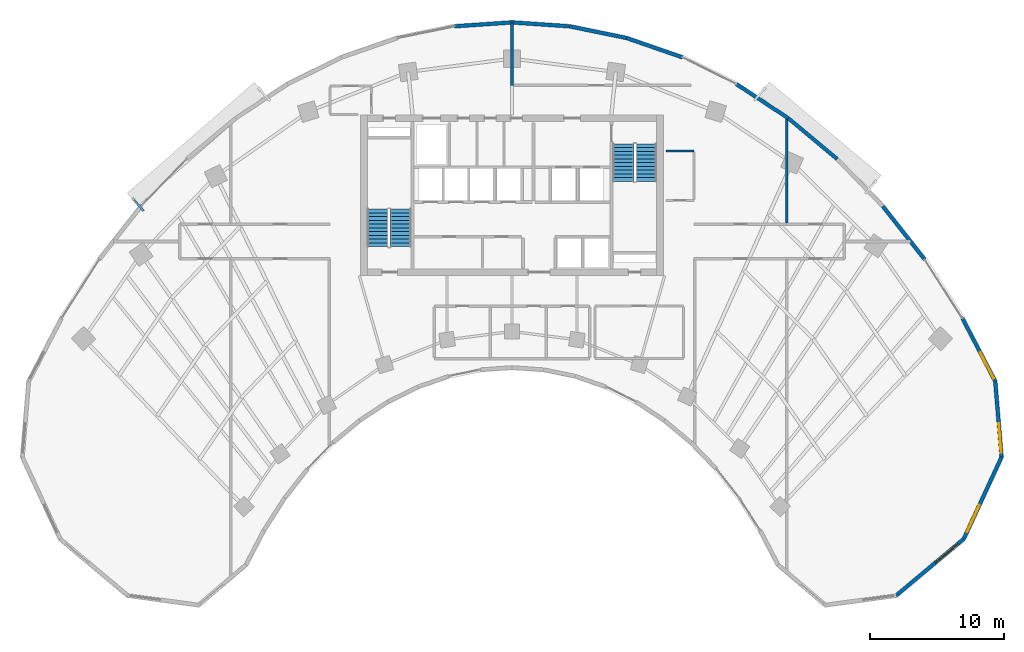
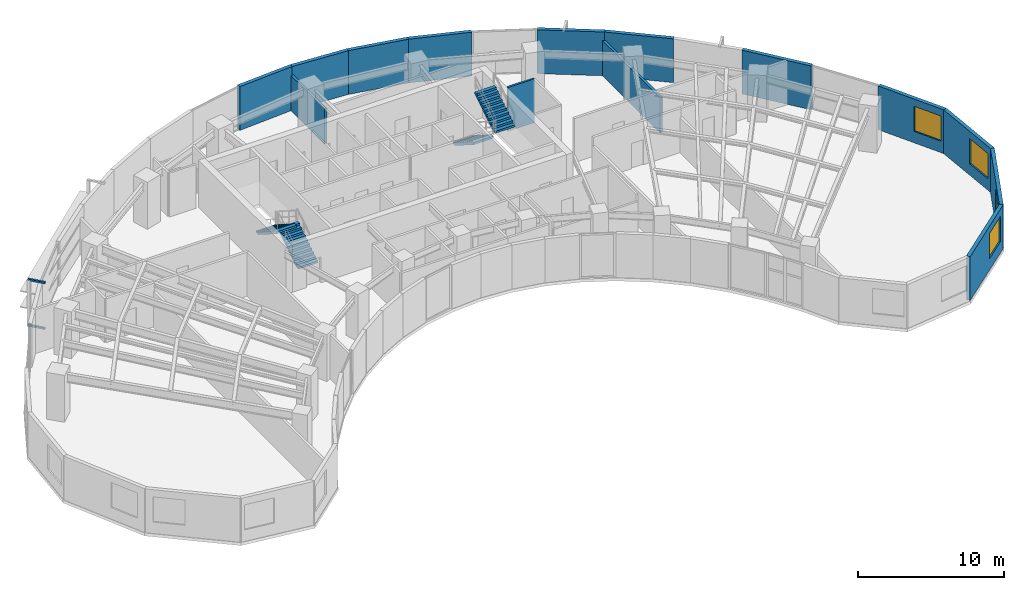
# One storey, part 11 of 14: 14 walls, 4 stair flights, 4 windows, 2 discrete accessories, 4 openings, 2 elements without a shape of their own.
"""IFC4 building model written with IfcOpenShell, lengths in metres."""

from ifc_helpers import new_model, si_unit, direction, frame, frame_2d, origin, origin_2d, place, context, subcontext, project, spatial, polyline, rectangle, outline, extrude, source, transform, mapped, material, layer, layer_set, type_object, type_shapes, element, fill, aggregate, save


model = new_model("IFC4")

# Units and contexts
model_context = context("Model", 3, precision=1e-05, world=origin(), true_north=direction((0.0, 1.0)))
body_context = subcontext(model_context, "Body", "Model", "MODEL_VIEW")
ifc_project = project(units=[si_unit("LENGTHUNIT", "METRE"), si_unit("AREAUNIT", "SQUARE_METRE"), si_unit("VOLUMEUNIT", "CUBIC_METRE"), si_unit("PLANEANGLEUNIT", "RADIAN"), si_unit("MASSUNIT", "GRAM", prefix="KILO")], contexts=[model_context])

# Site, building, storey
site_placement = place(None, origin())
site = spatial("IfcSite", under=ifc_project, at=site_placement, CompositionType="ELEMENT")
building_placement = place(site_placement, origin())
building = spatial("IfcBuilding", under=site, at=building_placement, Name="Breltana Convention Tower", CompositionType="ELEMENT")
storey_placement = place(building_placement, frame((0.0, 0.0, 115.5)))
storey = spatial("IfcBuildingStorey", under=building, at=storey_placement, Name="L27", CompositionType="ELEMENT", Elevation=115.5)

# Wall, opening, window
ifc_material_1 = material(Name="Limestone Buff Insulated Wall", Category="masonry")
ifc_layer_1 = layer(ifc_material_1, 0.280029296875, Name="Limestone Buff Insulated Wall")
ifc_layer_set_1 = layer_set([ifc_layer_1], Name="Limestone Buff Insulated Wall")
wall_type_1 = type_object("IfcWallType", Name="WL-EXT-NOSE-280", PredefinedType="SOLIDWALL", material=ifc_layer_set_1)
shared_shape_1 = source(origin(), body_context, "Body", "SweptSolid", [
    extrude(rectangle(XDim=5.673583984375, YDim=0.280029296875, at=frame_2d((2.8369140625, 0.0))), origin(), (0.0, 0.0, 1.0), 3.64990234375),
])
wall_1_placement = place(storey_placement, frame((84.07763671875, 52.305419921875, 0.0), z_axis=(0.0, 0.0, 1.0), x_axis=(0.083309007867, -0.996523762491, 0.0)))
wall_1 = element("IfcWall", 1, at=wall_1_placement, inside=storey, type_object=wall_type_1, Name="L27 curved limestone nose wall E1", PredefinedType="SOLIDWALL", context=body_context, shape_type="MappedRepresentation", body=[
    mapped(shared_shape_1, transform((0.0, 0.0, 0.0), scale=1.0)),
])
opening_1_placement = place(wall_1_placement, frame((3.155029296875, 0.0, 0.949951171875)))
opening_1 = element("IfcOpeningElement", 2, at=opening_1_placement, cuts=wall_1, Name="Opening W-03", PredefinedType="OPENING", context=body_context, shape_type="SweptSolid", body=[
    extrude(rectangle(XDim=2.199951171875, YDim=2.10009765625, at=frame_2d((1.10009765625, 1.050048828125))), frame((0.0, 0.14990234375, 0.0), z_axis=(0.0, -1.0, 0.0), x_axis=(1.0, 0.0, 0.0)), (0.0, 0.0, 1.0), 0.300048828125),
])
ifc_material_2 = material(Name="Glass Low-E Insulated Window", Category="glass")
window_type = type_object("IfcWindowType", Name="WN-NOSE-2200X2100", PartitioningType="TRIPLE_PANEL_VERTICAL", PredefinedType="WINDOW", material=ifc_material_2)
shared_shape_2 = source(origin(), body_context, "Body", "SweptSolid", [
    extrude(rectangle(XDim=2.199951171875, YDim=2.10009765625, at=frame_2d((1.10009765625, 1.050048828125))), frame((0.0, 0.030029296875, 0.0), z_axis=(0.0, -1.0, 0.0), x_axis=(1.0, 0.0, 0.0)), (0.0, 0.0, 1.0), 0.06005859375),
])
type_shapes(window_type, [shared_shape_2])
window_1_placement = place(opening_1_placement, origin())
window_1 = element("IfcWindow", 3, at=window_1_placement, inside=storey, type_object=window_type, Name="L27 nose window E1", OverallHeight=2.10009765625, OverallWidth=2.199951171875, PartitioningType="TRIPLE_PANEL_VERTICAL", PredefinedType="WINDOW", context=body_context, shape_type="MappedRepresentation", body=[
    mapped(shared_shape_2, transform((0.0, 0.0, 0.0), scale=1.0)),
])
fill(opening_1, window_1)

shared_shape_3 = source(origin(), body_context, "Body", "SweptSolid", [
    extrude(rectangle(XDim=6.731689453125, YDim=0.280029296875, at=frame_2d((3.36572265625, 0.0))), origin(), (0.0, 0.0, 1.0), 3.64990234375),
])
wall_2_placement = place(storey_placement, frame((84.55029296875, 46.651611328125, 0.0), z_axis=(0.0, 0.0, 1.0), x_axis=(-0.419644552709, -0.907688520023, 0.0)))
wall_2 = element("IfcWall", 4, at=wall_2_placement, inside=storey, type_object=wall_type_1, Name="L27 curved limestone nose wall E2", PredefinedType="SOLIDWALL", context=body_context, shape_type="MappedRepresentation", body=[
    mapped(shared_shape_3, transform((0.0, 0.0, 0.0), scale=1.0)),
])
opening_2_placement = place(wall_2_placement, frame((3.948974609375, 0.0, 0.949951171875)))
opening_2 = element("IfcOpeningElement", 5, at=opening_2_placement, cuts=wall_2, Name="Opening W-03", PredefinedType="OPENING", context=body_context, shape_type="SweptSolid", body=[
    extrude(rectangle(XDim=2.199951171875, YDim=2.10009765625, at=frame_2d((1.10009765625, 1.050048828125))), frame((0.0, 0.14990234375, 0.0), z_axis=(0.0, -1.0, 0.0), x_axis=(1.0, 0.0, 0.0)), (0.0, 0.0, 1.0), 0.300048828125),
])
window_2_placement = place(opening_2_placement, origin())
window_2 = element("IfcWindow", 6, at=window_2_placement, inside=storey, type_object=window_type, Name="L27 nose window E2", OverallHeight=2.10009765625, OverallWidth=2.199951171875, PartitioningType="TRIPLE_PANEL_VERTICAL", PredefinedType="WINDOW", context=body_context, shape_type="MappedRepresentation", body=[
    mapped(shared_shape_2, transform((0.0, 0.0, 0.0), scale=1.0)),
])
fill(opening_2, window_2)

shared_shape_4 = source(origin(), body_context, "Body", "SweptSolid", [
    extrude(rectangle(XDim=6.572998046875, YDim=0.280029296875, at=frame_2d((3.28662109375, 0.0))), origin(), (0.0, 0.0, 1.0), 3.64990234375),
])
wall_3_placement = place(storey_placement, frame((81.725341796875, 40.541259765625, 0.0), z_axis=(0.0, 0.0, 1.0), x_axis=(-0.766715154163, -0.641987439423, 0.0)))
wall_3 = element("IfcWall", 7, at=wall_3_placement, inside=storey, type_object=wall_type_1, Name="L27 curved limestone nose wall E3", PredefinedType="SOLIDWALL", context=body_context, shape_type="MappedRepresentation", body=[
    mapped(shared_shape_4, transform((0.0, 0.0, 0.0), scale=1.0)),
])
opening_3_placement = place(wall_3_placement, frame((0.543212890625, 0.0, 0.949951171875)))
opening_3 = element("IfcOpeningElement", 8, at=opening_3_placement, cuts=wall_3, Name="Opening W-03", PredefinedType="OPENING", context=body_context, shape_type="SweptSolid", body=[
    extrude(rectangle(XDim=2.199951171875, YDim=2.10009765625, at=frame_2d((1.10009765625, 1.050048828125))), frame((0.0, 0.14990234375, 0.0), z_axis=(0.0, -1.0, 0.0), x_axis=(1.0, 0.0, 0.0)), (0.0, 0.0, 1.0), 0.300048828125),
])
window_3_placement = place(opening_3_placement, origin())
window_3 = element("IfcWindow", 9, at=window_3_placement, inside=storey, type_object=window_type, Name="L27 nose window E3", OverallHeight=2.10009765625, OverallWidth=2.199951171875, PartitioningType="TRIPLE_PANEL_VERTICAL", PredefinedType="WINDOW", context=body_context, shape_type="MappedRepresentation", body=[
    mapped(shared_shape_2, transform((0.0, 0.0, 0.0), scale=1.0)),
])
fill(opening_3, window_3)

shared_shape_5 = source(origin(), body_context, "Body", "SweptSolid", [
    extrude(rectangle(XDim=5.315185546875, YDim=0.280029296875, at=frame_2d((2.65771484375, 0.0))), origin(), (0.0, 0.0, 1.0), 3.64990234375),
])
wall_4_placement = place(storey_placement, frame((81.623291015625, 57.02001953125, 0.0), z_axis=(0.0, 0.0, 1.0), x_axis=(0.461760527822, -0.887004630735, 0.0)))
wall_4 = element("IfcWall", 10, at=wall_4_placement, inside=storey, type_object=wall_type_1, Name="L27 curved limestone nose wall E33", PredefinedType="SOLIDWALL", context=body_context, shape_type="MappedRepresentation", body=[
    mapped(shared_shape_5, transform((0.0, 0.0, 0.0), scale=1.0)),
])
opening_4_placement = place(wall_4_placement, frame((2.886474609375, 0.0, 0.949951171875)))
opening_4 = element("IfcOpeningElement", 11, at=opening_4_placement, cuts=wall_4, Name="Opening W-03", PredefinedType="OPENING", context=body_context, shape_type="SweptSolid", body=[
    extrude(rectangle(XDim=2.199951171875, YDim=2.10009765625, at=frame_2d((1.10009765625, 1.050048828125))), frame((0.0, 0.14990234375, 0.0), z_axis=(0.0, -1.0, 0.0), x_axis=(1.0, 0.0, 0.0)), (0.0, 0.0, 1.0), 0.300048828125),
])
window_4_placement = place(opening_4_placement, origin())
window_4 = element("IfcWindow", 12, at=window_4_placement, inside=storey, type_object=window_type, Name="L27 nose window E33", OverallHeight=2.10009765625, OverallWidth=2.199951171875, PartitioningType="TRIPLE_PANEL_VERTICAL", PredefinedType="WINDOW", context=body_context, shape_type="MappedRepresentation", body=[
    mapped(shared_shape_2, transform((0.0, 0.0, 0.0), scale=1.0)),
])
fill(opening_4, window_4)

# Walls
shared_shape_6 = source(origin(), body_context, "Body", "SweptSolid", [
    extrude(rectangle(XDim=5.05810546875, YDim=0.280029296875, at=frame_2d((2.529052734375, 0.0))), origin(), (0.0, 0.0, 1.0), 3.64990234375),
])
wall_5_placement = place(storey_placement, frame((75.684814453125, 65.37646484375, 0.0), z_axis=(0.0, 0.0, 1.0), x_axis=(0.618145507434, -0.786063694391, 0.0)))
element("IfcWall", 13, at=wall_5_placement, inside=storey, type_object=wall_type_1, Name="L27 curved limestone nose wall E32", PredefinedType="SOLIDWALL", context=body_context, shape_type="MappedRepresentation", body=[
    mapped(shared_shape_6, transform((0.0, 0.0, 0.0), scale=1.0)),
])
shared_shape_7 = source(origin(), body_context, "Body", "SweptSolid", [
    extrude(rectangle(XDim=4.76220703125, YDim=0.280029296875, at=frame_2d((2.381103515625, 0.0))), origin(), (0.0, 0.0, 1.0), 3.64990234375),
])
wall_6_placement = place(storey_placement, frame((68.6181640625, 71.957763671875, 0.0), z_axis=(0.0, 0.0, 1.0), x_axis=(0.767952279762, -0.640507061638, 0.0)))
element("IfcWall", 14, at=wall_6_placement, inside=storey, type_object=wall_type_1, Name="L27 curved limestone nose wall E30", PredefinedType="SOLIDWALL", context=body_context, shape_type="MappedRepresentation", body=[
    mapped(shared_shape_7, transform((0.0, 0.0, 0.0), scale=1.0)),
])
shared_shape_8 = source(origin(), body_context, "Body", "SweptSolid", [
    extrude(rectangle(XDim=4.625732421875, YDim=0.280029296875, at=frame_2d((2.31298828125, 0.0))), origin(), (0.0, 0.0, 1.0), 3.64990234375),
])
wall_7_placement = place(storey_placement, frame((64.751220703125, 74.496337890625, 0.0), z_axis=(0.0, 0.0, 1.0), x_axis=(0.83595938331, -0.548791316855, 0.0)))
element("IfcWall", 15, at=wall_7_placement, inside=storey, type_object=wall_type_1, Name="L27 curved limestone nose wall E29", PredefinedType="SOLIDWALL", context=body_context, shape_type="MappedRepresentation", body=[
    mapped(shared_shape_8, transform((0.0, 0.0, 0.0), scale=1.0)),
])
shared_shape_9 = source(origin(), body_context, "Body", "SweptSolid", [
    extrude(rectangle(XDim=4.408935546875, YDim=0.280029296875, at=frame_2d((2.20458984375, 0.0))), origin(), (0.0, 0.0, 1.0), 3.64990234375),
])
wall_8_placement = place(storey_placement, frame((56.54833984375, 77.94091796875, 0.0), z_axis=(0.0, 0.0, 1.0), x_axis=(0.944879374121, -0.327418643881, 0.0)))
element("IfcWall", 16, at=wall_8_placement, inside=storey, type_object=wall_type_1, Name="L27 curved limestone nose wall E28", PredefinedType="SOLIDWALL", context=body_context, shape_type="MappedRepresentation", body=[
    mapped(shared_shape_9, transform((0.0, 0.0, 0.0), scale=1.0)),
])
shared_shape_10 = source(origin(), body_context, "Body", "SweptSolid", [
    extrude(rectangle(XDim=4.3408203125, YDim=0.280029296875, at=frame_2d((2.17041015625, 0.0))), origin(), (0.0, 0.0, 1.0), 3.64990234375),
])
wall_9_placement = place(storey_placement, frame((52.2958984375, 78.81298828125, 0.0), z_axis=(0.0, 0.0, 1.0), x_axis=(0.979612918634, -0.20089432457, 0.0)))
element("IfcWall", 17, at=wall_9_placement, inside=storey, type_object=wall_type_1, Name="L27 curved limestone nose wall E27", PredefinedType="SOLIDWALL", context=body_context, shape_type="MappedRepresentation", body=[
    mapped(shared_shape_10, transform((0.0, 0.0, 0.0), scale=1.0)),
])
shared_shape_11 = source(origin(), body_context, "Body", "SweptSolid", [
    extrude(rectangle(XDim=4.3056640625, YDim=0.280029296875, at=frame_2d((2.15283203125, 0.0))), origin(), (0.0, 0.0, 1.0), 3.64990234375),
])
for number, where, z_axis, x_axis, name in (
    (18, (43.7041015625, 78.81298828125, 0.0), (0.0, 0.0, 1.0), (0.997705679258, 0.067700646797, 0.0), "L27 curved limestone nose wall E25"),
    (19, (48.0, 79.1044921875, 0.0), (0.0, 0.0, 1.0), (0.997705679258, -0.067700646797, 0.0), "L27 curved limestone nose wall E26"),
):
    element("IfcWall", number, at=place(storey_placement, frame(where, z_axis=z_axis, x_axis=x_axis)), inside=storey, type_object=wall_type_1, Name=name, PredefinedType="SOLIDWALL", context=body_context, shape_type="MappedRepresentation", body=[
        mapped(shared_shape_11, transform((0.0, 0.0, 0.0), scale=1.0)),
    ])
ifc_material_3 = material(Name="Gypsum Acoustic Drywall Partition")
ifc_layer_2 = layer(ifc_material_3, 0.14990234375, Name="Gypsum Acoustic Drywall Partition")
ifc_layer_set_2 = layer_set([ifc_layer_2], Name="Gypsum Acoustic Drywall Partition")
wall_type_2 = type_object("IfcWallType", Name="WL-PART-150", PredefinedType="PARTITIONING", material=ifc_layer_set_2)
shared_shape_12 = source(origin(), body_context, "Body", "SweptSolid", [
    extrude(rectangle(XDim=2.10009765625, YDim=0.14990234375, at=frame_2d((1.050048828125, 0.0))), origin(), (0.0, 0.0, 1.0), 3.64990234375),
])
wall_10_placement = place(storey_placement, frame((59.5, 69.5, 0.0), z_axis=(0.0, 0.0, 1.0), x_axis=(1.0, 0.0, 0.0)))
element("IfcWall", 20, at=wall_10_placement, inside=storey, type_object=wall_type_2, Name="L27 interior partition W-L27-CRSE-N", PredefinedType="PARTITIONING", context=body_context, shape_type="MappedRepresentation", body=[
    mapped(shared_shape_12, transform((0.0, 0.0, 0.0), scale=1.0)),
])
ifc_material_4 = material(Name="Gypsum Acoustic Hotel Wall")
ifc_layer_3 = layer(ifc_material_4, 0.195068359375, Name="Gypsum Acoustic Hotel Wall")
ifc_layer_set_3 = layer_set([ifc_layer_3], Name="Gypsum Acoustic Hotel Wall")
wall_type_3 = type_object("IfcWallType", Name="WL-HOTEL-200", PredefinedType="PARTITIONING", material=ifc_layer_set_3)
shared_shape_13 = source(origin(), body_context, "Body", "SweptSolid", [
    extrude(rectangle(XDim=4.694580078125, YDim=0.195068359375, at=frame_2d((2.34716796875, 0.0))), origin(), (0.0, 0.0, 1.0), 2.94189453125),
])
wall_11_placement = place(storey_placement, frame((48.0, 74.39990234375, 0.0), z_axis=(0.0, 0.0, 1.0), x_axis=(0.0, 1.0, 0.0)))
element("IfcWall", 21, at=wall_11_placement, inside=storey, type_object=wall_type_3, Name="L27 interior partition W-L27-ZN1-E", PredefinedType="PARTITIONING", context=body_context, shape_type="MappedRepresentation", body=[
    mapped(shared_shape_13, transform((0.0, 0.0, 0.0), scale=1.0)),
])
shared_shape_14 = source(origin(), body_context, "Body", "SweptSolid", [
    extrude(rectangle(XDim=7.96337890625, YDim=0.195068359375, at=frame_2d((3.981689453125, 0.0))), origin(), (0.0, 0.0, 1.0), 2.94189453125),
])
wall_12_placement = place(storey_placement, frame((68.5, 64.06005859375, 0.0), z_axis=(0.0, 0.0, 1.0), x_axis=(0.0, 1.0, 0.0)))
element("IfcWall", 22, at=wall_12_placement, inside=storey, type_object=wall_type_3, Name="L27 interior partition W-L27-ZEN1-E", PredefinedType="PARTITIONING", context=body_context, shape_type="MappedRepresentation", body=[
    mapped(shared_shape_14, transform((0.0, 0.0, 0.0), scale=1.0)),
])

# Stair, stair flights
ifc_material_5 = material(Name="Concrete C40/50", Category="concrete")
stair_type = type_object("IfcStairType", Name="ST-DOG-1560-R177", PredefinedType="HALF_TURN_STAIR", material=ifc_material_5)
stair_1_placement = place(storey_placement, origin())
stair_1 = element("IfcStair", 23, at=stair_1_placement, inside=storey, type_object=stair_type, Name="L27 Protected Core Exit Stair ST-1", PredefinedType="HALF_TURN_STAIR")
stair_flight_type = type_object("IfcStairFlightType", Name="STF-DOG-1560-N11-R177", PredefinedType="STRAIGHT", material=ifc_material_5)
stair_flight_1_placement = place(storey_placement, frame((39.68994140625, 62.360107421875, 0.0), z_axis=(0.0, 0.0, 1.0), x_axis=(0.0, 1.0, 0.0)))
stair_flight_1 = element("IfcStairFlight", 24, at=stair_flight_1_placement, type_object=stair_flight_type, Name="ST-1 flight 1", NumberOfRisers=11, NumberOfTreads=10, PredefinedType="STRAIGHT", RiserHeight=0.177272727, TreadLength=0.28, context=body_context, shape_type="SweptSolid", body=[
    extrude(outline(polyline([(0.0, 0.0), (0.0, 0.17724609375), (0.280029296875, 0.17724609375), (0.280029296875, 0.3544921875), (0.56005859375, 0.3544921875), (0.56005859375, 0.53173828125), (0.840087890625, 0.53173828125), (0.840087890625, 0.708984375), (1.1201171875, 0.708984375), (1.1201171875, 0.886474609375), (1.39990234375, 0.886474609375), (1.39990234375, 1.063720703125), (1.679931640625, 1.063720703125), (1.679931640625, 1.240966796875), (1.9599609375, 1.240966796875), (1.9599609375, 1.418212890625), (2.239990234375, 1.418212890625), (2.239990234375, 1.595458984375), (2.52001953125, 1.595458984375), (2.52001953125, 1.772705078125), (2.800048828125, 1.772705078125), (2.800048828125, 1.949951171875), (2.800048828125, 1.59521484375), (0.2802734375, 0.0), (0.0, 0.0)])), frame((0.0, 0.780029296875, 0.0), z_axis=(0.0, -1.0, 0.0), x_axis=(1.0, 0.0, 0.0)), (0.0, 0.0, 1.0), 1.56005859375),
])
stair_flight_2_placement = place(storey_placement, frame((37.97998046875, 65.159912109375, 1.949951171875), z_axis=(0.0, 0.0, 1.0), x_axis=(0.0, -1.0, 0.0)))
stair_flight_2 = element("IfcStairFlight", 25, at=stair_flight_2_placement, type_object=stair_flight_type, Name="ST-1 flight 2", NumberOfRisers=11, NumberOfTreads=10, PredefinedType="STRAIGHT", RiserHeight=0.177272727, TreadLength=0.28, context=body_context, shape_type="SweptSolid", body=[
    extrude(outline(polyline([(0.0, 0.0), (0.0, 0.17724609375), (0.280029296875, 0.17724609375), (0.280029296875, 0.3544921875), (0.56005859375, 0.3544921875), (0.56005859375, 0.53173828125), (0.840087890625, 0.53173828125), (0.840087890625, 0.708984375), (1.1201171875, 0.708984375), (1.1201171875, 0.886474609375), (1.39990234375, 0.886474609375), (1.39990234375, 1.063720703125), (1.679931640625, 1.063720703125), (1.679931640625, 1.240966796875), (1.9599609375, 1.240966796875), (1.9599609375, 1.418212890625), (2.239990234375, 1.418212890625), (2.239990234375, 1.595458984375), (2.52001953125, 1.595458984375), (2.52001953125, 1.772705078125), (2.800048828125, 1.772705078125), (2.800048828125, 1.949951171875), (2.800048828125, 1.59521484375), (0.2802734375, 0.0), (0.0, 0.0)])), frame((0.0, 0.780029296875, 0.0), z_axis=(0.0, -1.0, 0.0), x_axis=(1.0, 0.0, 0.0)), (0.0, 0.0, 1.0), 1.56005859375),
])
aggregate(stair_1, [stair_flight_1, stair_flight_2])

stair_2_placement = place(storey_placement, origin())
stair_2 = element("IfcStair", 26, at=stair_2_placement, inside=storey, type_object=stair_type, Name="L27 Protected Core Exit Stair ST-2", PredefinedType="HALF_TURN_STAIR")
stair_flight_3_placement = place(storey_placement, frame((56.31005859375, 70.0400390625, 0.0), z_axis=(0.0, 0.0, 1.0), x_axis=(0.0, -1.0, 0.0)))
stair_flight_3 = element("IfcStairFlight", 27, at=stair_flight_3_placement, type_object=stair_flight_type, Name="ST-2 flight 1", NumberOfRisers=11, NumberOfTreads=10, PredefinedType="STRAIGHT", RiserHeight=0.177272727, TreadLength=0.28, context=body_context, shape_type="SweptSolid", body=[
    extrude(outline(polyline([(0.0, 0.0), (0.0, 0.17724609375), (0.280029296875, 0.17724609375), (0.280029296875, 0.3544921875), (0.56005859375, 0.3544921875), (0.56005859375, 0.53173828125), (0.840087890625, 0.53173828125), (0.840087890625, 0.708984375), (1.1201171875, 0.708984375), (1.1201171875, 0.886474609375), (1.39990234375, 0.886474609375), (1.39990234375, 1.063720703125), (1.679931640625, 1.063720703125), (1.679931640625, 1.240966796875), (1.9599609375, 1.240966796875), (1.9599609375, 1.418212890625), (2.239990234375, 1.418212890625), (2.239990234375, 1.595458984375), (2.52001953125, 1.595458984375), (2.52001953125, 1.772705078125), (2.800048828125, 1.772705078125), (2.800048828125, 1.949951171875), (2.800048828125, 1.59521484375), (0.2802734375, 0.0), (0.0, 0.0)])), frame((0.0, 0.780029296875, 0.0), z_axis=(0.0, -1.0, 0.0), x_axis=(1.0, 0.0, 0.0)), (0.0, 0.0, 1.0), 1.56005859375),
])
stair_flight_4_placement = place(storey_placement, frame((58.02001953125, 67.239990234375, 1.949951171875), z_axis=(0.0, 0.0, 1.0), x_axis=(0.0, 1.0, 0.0)))
stair_flight_4 = element("IfcStairFlight", 28, at=stair_flight_4_placement, type_object=stair_flight_type, Name="ST-2 flight 2", NumberOfRisers=11, NumberOfTreads=10, PredefinedType="STRAIGHT", RiserHeight=0.177272727, TreadLength=0.28, context=body_context, shape_type="SweptSolid", body=[
    extrude(outline(polyline([(0.0, 0.0), (0.0, 0.17724609375), (0.280029296875, 0.17724609375), (0.280029296875, 0.3544921875), (0.56005859375, 0.3544921875), (0.56005859375, 0.53173828125), (0.840087890625, 0.53173828125), (0.840087890625, 0.708984375), (1.1201171875, 0.708984375), (1.1201171875, 0.886474609375), (1.39990234375, 0.886474609375), (1.39990234375, 1.063720703125), (1.679931640625, 1.063720703125), (1.679931640625, 1.240966796875), (1.9599609375, 1.240966796875), (1.9599609375, 1.418212890625), (2.239990234375, 1.418212890625), (2.239990234375, 1.595458984375), (2.52001953125, 1.595458984375), (2.52001953125, 1.772705078125), (2.800048828125, 1.772705078125), (2.800048828125, 1.949951171875), (2.800048828125, 1.59521484375), (0.2802734375, 0.0), (0.0, 0.0)])), frame((0.0, 0.780029296875, 0.0), z_axis=(0.0, -1.0, 0.0), x_axis=(1.0, 0.0, 0.0)), (0.0, 0.0, 1.0), 1.56005859375),
])
aggregate(stair_2, [stair_flight_3, stair_flight_4])

# Discrete accessories
ifc_material_6 = material(Name="Steel S355", Category="steel")
discrete_accessory_type = type_object("IfcDiscreteAccessoryType", Name="ACC-DSF-BRACKET-150", PredefinedType="BRACKET", material=ifc_material_6)
shared_shape_15 = source(origin(), body_context, "Body", "SweptSolid", [
    extrude(rectangle(XDim=1.239990234375, YDim=0.14990234375, at=origin_2d()), origin(), (0.0, 0.0, 1.0), 0.139892578125),
])
type_shapes(discrete_accessory_type, [shared_shape_15])
for number, where, z_axis, x_axis, name in (
    (29, (20.080322265625, 65.49853515625, -0.16015625), (0.0, 0.0, 1.0), (-0.656454255701, 0.754365833115, 0.0), "L27 double-skin slab stand-off bracket 1.1B"),
    (30, (20.080322265625, 65.49853515625, 3.64990234375), (0.0, 0.0, 1.0), (-0.656454255701, 0.754365833115, 0.0), "L27 double-skin slab stand-off bracket 1.1T"),
):
    element("IfcDiscreteAccessory", number, at=place(storey_placement, frame(where, z_axis=z_axis, x_axis=x_axis)), inside=storey, type_object=discrete_accessory_type, Name=name, PredefinedType="BRACKET", context=body_context, shape_type="MappedRepresentation", body=[
        mapped(shared_shape_15, transform((0.0, 0.0, 0.0), scale=1.0)),
    ])

save(model, "model.ifc")
